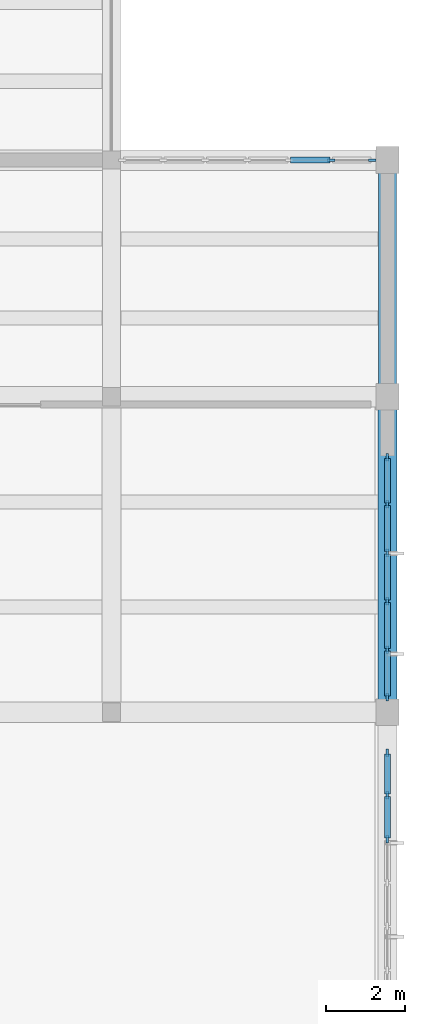
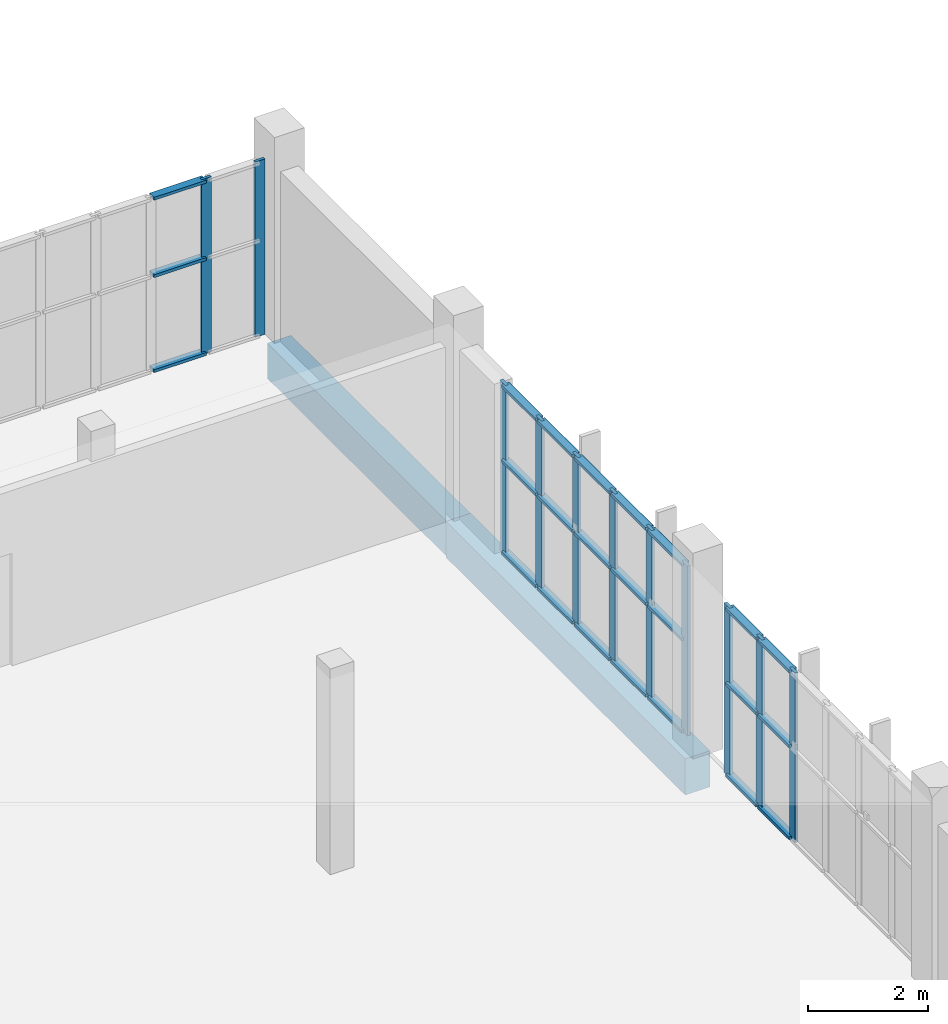
# One storey, part 34 of 70: 35 members, 2 beams, 3 elements without a shape of their own.
"""IFC4 building model written with IfcOpenShell, lengths in metres."""

from ifc_helpers import new_model, si_unit, direction, frame, origin, origin_2d, place, context, subcontext, project, spatial, rectangle, extrude, material, layer, layer_set, material_profile, profile_set, type_object, element, aggregate, save


model = new_model("IFC4")

# Units and contexts
model_context = context("Model", 3, precision=1e-05, world=origin(), true_north=direction((0.0, 1.0)))
body_context = subcontext(model_context, "Body", "Model", "MODEL_VIEW")
ifc_project = project(units=[si_unit("LENGTHUNIT", "METRE"), si_unit("AREAUNIT", "SQUARE_METRE"), si_unit("VOLUMEUNIT", "CUBIC_METRE"), si_unit("PLANEANGLEUNIT", "RADIAN"), si_unit("MASSUNIT", "GRAM", prefix="KILO")], contexts=[model_context])

# Site, building, storey
site_placement = place(None, origin())
site = spatial("IfcSite", under=ifc_project, at=site_placement, CompositionType="ELEMENT")
building_placement = place(site_placement, origin())
building = spatial("IfcBuilding", under=site, at=building_placement, Name="Solvane Community Centre", CompositionType="ELEMENT")
storey_placement = place(building_placement, frame((0.0, 0.0, 9.60009765625)))
storey = spatial("IfcBuildingStorey", under=building, at=storey_placement, Name="L02", CompositionType="ELEMENT", Elevation=9.60009765625)

# Curtain wall, members
ifc_material_1 = material(Name="Anodised bronze aluminium AW-6063 T6", Category="aluminium")
ifc_layer_1 = layer(ifc_material_1, 0.18994140625)
ifc_layer_set_1 = layer_set([ifc_layer_1], Name="Anodised bronze aluminium AW-6063 T6")
curtain_wall_type_1 = type_object("IfcCurtainWallType", Name="Boulevard Bronze Vision Curtain Wall [64x36dm]", PredefinedType="NOTDEFINED", material=ifc_layer_set_1)
curtain_wall_1_placement = place(storey_placement, origin())
curtain_wall_1 = element("IfcCurtainWall", 1, at=curtain_wall_1_placement, inside=storey, type_object=curtain_wall_type_1, Name="Curtain Wall CW-L02-1612_360-203", PredefinedType="NOTDEFINED")
ifc_material_profile_1 = material_profile(ifc_material_1, rectangle(XDim=0.06005859375, YDim=0.18994140625, at=origin_2d()), Name="CW-M 60x190")
ifc_profile_set_1 = profile_set([ifc_material_profile_1], Name="Anodised bronze aluminium AW-6063 T6")
member_type_1 = type_object("IfcMemberType", Name="Boulevard Mullion 60x190", PredefinedType="MULLION", material=ifc_profile_set_1)
member_1_placement = place(storey_placement, frame((166.578369140625, 36.0, 0.0), z_axis=(0.0, 0.0, 1.0), x_axis=(0.0, 1.0, 0.0)))
member_1 = element("IfcMember", 2, at=member_1_placement, type_object=member_type_1, Name="CW02-64x36 mullion 6", PredefinedType="MULLION", context=body_context, shape_type="SweptSolid", body=[
    extrude(rectangle(XDim=0.06005859375, YDim=0.18994140625, at=origin_2d()), origin(), (0.0, 0.0, 1.0), 3.579833984375),
])
member_2_placement = place(storey_placement, frame((167.614990234375, 36.0, 0.0), z_axis=(0.0, 0.0, 1.0), x_axis=(0.0, 1.0, 0.0)))
member_2 = element("IfcMember", 3, at=member_2_placement, type_object=member_type_1, Name="CW02-64x36 mullion 7", PredefinedType="MULLION", context=body_context, shape_type="SweptSolid", body=[
    extrude(rectangle(XDim=0.06005859375, YDim=0.18994140625, at=origin_2d()), origin(), (0.0, 0.0, 1.0), 3.579833984375),
])

ifc_layer_2 = layer(ifc_material_1, 0.18994140625)
ifc_layer_set_2 = layer_set([ifc_layer_2], Name="Anodised bronze aluminium AW-6063 T6")
curtain_wall_type_2 = type_object("IfcCurtainWallType", Name="Boulevard Bronze Vision Curtain Wall [61x35dm]", PredefinedType="NOTDEFINED", material=ifc_layer_set_2)
curtain_wall_2_placement = place(storey_placement, origin())
curtain_wall_2 = element("IfcCurtainWall", 4, at=curtain_wall_2_placement, inside=storey, type_object=curtain_wall_type_2, Name="Curtain Wall CW-L02-1680_285-204", PredefinedType="NOTDEFINED")
member_3_placement = place(storey_placement, frame((168.0, 28.469970703125, 0.0), z_axis=(0.0, 0.0, 1.0), x_axis=(1.0, 0.0, 0.0)))
member_3 = element("IfcMember", 5, at=member_3_placement, type_object=member_type_1, Name="CW02-61x35 mullion 1", PredefinedType="MULLION", context=body_context, shape_type="SweptSolid", body=[
    extrude(rectangle(XDim=0.06005859375, YDim=0.18994140625, at=origin_2d()), origin(), (0.0, 0.0, 1.0), 3.46484375),
])
member_4_placement = place(storey_placement, frame((168.0, 27.27099609375, 0.0), z_axis=(0.0, 0.0, 1.0), x_axis=(1.0, 0.0, 0.0)))
member_4 = element("IfcMember", 6, at=member_4_placement, type_object=member_type_1, Name="CW02-61x35 mullion 2", PredefinedType="MULLION", context=body_context, shape_type="SweptSolid", body=[
    extrude(rectangle(XDim=0.06005859375, YDim=0.18994140625, at=origin_2d()), origin(), (0.0, 0.0, 1.0), 3.46484375),
])
member_5_placement = place(storey_placement, frame((168.0, 26.0419921875, 0.0), z_axis=(0.0, 0.0, 1.0), x_axis=(1.0, 0.0, 0.0)))
member_5 = element("IfcMember", 7, at=member_5_placement, type_object=member_type_1, Name="CW02-61x35 mullion 3", PredefinedType="MULLION", context=body_context, shape_type="SweptSolid", body=[
    extrude(rectangle(XDim=0.06005859375, YDim=0.18994140625, at=origin_2d()), origin(), (0.0, 0.0, 1.0), 3.46484375),
])
member_6_placement = place(storey_placement, frame((168.0, 24.81298828125, 0.0), z_axis=(0.0, 0.0, 1.0), x_axis=(1.0, 0.0, 0.0)))
member_6 = element("IfcMember", 8, at=member_6_placement, type_object=member_type_1, Name="CW02-61x35 mullion 4", PredefinedType="MULLION", context=body_context, shape_type="SweptSolid", body=[
    extrude(rectangle(XDim=0.06005859375, YDim=0.18994140625, at=origin_2d()), origin(), (0.0, 0.0, 1.0), 3.46484375),
])
member_7_placement = place(storey_placement, frame((168.0, 23.583984375, 0.0), z_axis=(0.0, 0.0, 1.0), x_axis=(1.0, 0.0, 0.0)))
member_7 = element("IfcMember", 9, at=member_7_placement, type_object=member_type_1, Name="CW02-61x35 mullion 5", PredefinedType="MULLION", context=body_context, shape_type="SweptSolid", body=[
    extrude(rectangle(XDim=0.06005859375, YDim=0.18994140625, at=origin_2d()), origin(), (0.0, 0.0, 1.0), 3.46484375),
])
member_8_placement = place(storey_placement, frame((168.0, 22.385009765625, 0.0), z_axis=(0.0, 0.0, 1.0), x_axis=(1.0, 0.0, 0.0)))
member_8 = element("IfcMember", 10, at=member_8_placement, type_object=member_type_1, Name="CW02-61x35 mullion 6", PredefinedType="MULLION", context=body_context, shape_type="SweptSolid", body=[
    extrude(rectangle(XDim=0.06005859375, YDim=0.18994140625, at=origin_2d()), origin(), (0.0, 0.0, 1.0), 3.46484375),
])

ifc_layer_3 = layer(ifc_material_1, 0.18994140625)
ifc_layer_set_3 = layer_set([ifc_layer_3], Name="Anodised bronze aluminium AW-6063 T6")
curtain_wall_type_3 = type_object("IfcCurtainWallType", Name="Boulevard Bronze Vision Curtain Wall [66x35dm]", PredefinedType="NOTDEFINED", material=ifc_layer_set_3)
curtain_wall_3_placement = place(storey_placement, origin())
curtain_wall_3 = element("IfcCurtainWall", 11, at=curtain_wall_3_placement, inside=storey, type_object=curtain_wall_type_3, Name="Curtain Wall CW-L02-1680_210-205", PredefinedType="NOTDEFINED")
member_9_placement = place(storey_placement, frame((168.0, 20.969970703125, 0.0), z_axis=(0.0, 0.0, 1.0), x_axis=(1.0, 0.0, 0.0)))
member_9 = element("IfcMember", 12, at=member_9_placement, type_object=member_type_1, Name="CW02-66x35 mullion 1", PredefinedType="MULLION", context=body_context, shape_type="SweptSolid", body=[
    extrude(rectangle(XDim=0.06005859375, YDim=0.18994140625, at=origin_2d()), origin(), (0.0, 0.0, 1.0), 3.46484375),
])
member_10_placement = place(storey_placement, frame((168.0, 19.892578125, 0.0), z_axis=(0.0, 0.0, 1.0), x_axis=(1.0, 0.0, 0.0)))
member_10 = element("IfcMember", 13, at=member_10_placement, type_object=member_type_1, Name="CW02-66x35 mullion 2", PredefinedType="MULLION", context=body_context, shape_type="SweptSolid", body=[
    extrude(rectangle(XDim=0.06005859375, YDim=0.18994140625, at=origin_2d()), origin(), (0.0, 0.0, 1.0), 3.46484375),
])
member_11_placement = place(storey_placement, frame((168.0, 18.784912109375, 0.0), z_axis=(0.0, 0.0, 1.0), x_axis=(1.0, 0.0, 0.0)))
member_11 = element("IfcMember", 14, at=member_11_placement, type_object=member_type_1, Name="CW02-66x35 mullion 3", PredefinedType="MULLION", context=body_context, shape_type="SweptSolid", body=[
    extrude(rectangle(XDim=0.06005859375, YDim=0.18994140625, at=origin_2d()), origin(), (0.0, 0.0, 1.0), 3.46484375),
])

# Member
ifc_material_profile_2 = material_profile(ifc_material_1, rectangle(XDim=0.14990234375, YDim=0.06005859375, at=origin_2d()), Name="CW-T 60x150")
ifc_profile_set_2 = profile_set([ifc_material_profile_2], Name="Anodised bronze aluminium AW-6063 T6")
member_type_2 = type_object("IfcMemberType", Name="Boulevard Transom 60x150", PredefinedType="USERDEFINED", material=ifc_profile_set_2)
member_12_placement = place(storey_placement, frame((165.541748046875, 36.0, 0.02978515625), z_axis=(1.0, 0.0, 0.0), x_axis=(0.0, 1.0, 0.0)))
member_12 = element("IfcMember", 15, at=member_12_placement, type_object=member_type_2, Name="CW02-64x36 transom 5.1", ObjectType="TRANSOM", PredefinedType="USERDEFINED", context=body_context, shape_type="SweptSolid", body=[
    extrude(rectangle(XDim=0.14990234375, YDim=0.06005859375, at=origin_2d()), origin(), (0.0, 0.0, 1.0), 1.006591796875),
])

member_13_placement = place(storey_placement, frame((165.541748046875, 36.0, 1.968994140625), z_axis=(1.0, 0.0, 0.0), x_axis=(0.0, 1.0, 0.0)))
member_13 = element("IfcMember", 16, at=member_13_placement, type_object=member_type_2, Name="CW02-64x36 transom 5.2", ObjectType="TRANSOM", PredefinedType="USERDEFINED", context=body_context, shape_type="SweptSolid", body=[
    extrude(rectangle(XDim=0.14990234375, YDim=0.06005859375, at=origin_2d()), origin(), (0.0, 0.0, 1.0), 1.006591796875),
])

member_14_placement = place(storey_placement, frame((165.541748046875, 36.0, 3.5498046875), z_axis=(1.0, 0.0, 0.0), x_axis=(0.0, 1.0, 0.0)))
member_14 = element("IfcMember", 17, at=member_14_placement, type_object=member_type_2, Name="CW02-64x36 transom 5.3", ObjectType="TRANSOM", PredefinedType="USERDEFINED", context=body_context, shape_type="SweptSolid", body=[
    extrude(rectangle(XDim=0.14990234375, YDim=0.06005859375, at=origin_2d()), origin(), (0.0, 0.0, 1.0), 1.006591796875),
])

aggregate(curtain_wall_1, [member_1, member_2, member_12, member_13, member_14])

member_15_placement = place(storey_placement, frame((168.0, 28.43994140625, 0.02978515625), z_axis=(0.0, -1.0, 0.0), x_axis=(1.0, 0.0, 0.0)))
member_15 = element("IfcMember", 18, at=member_15_placement, type_object=member_type_2, Name="CW02-61x35 transom 1.1", ObjectType="TRANSOM", PredefinedType="USERDEFINED", context=body_context, shape_type="SweptSolid", body=[
    extrude(rectangle(XDim=0.14990234375, YDim=0.06005859375, at=origin_2d()), origin(), (0.0, 0.0, 1.0), 1.138916015625),
])

member_16_placement = place(storey_placement, frame((168.0, 28.43994140625, 1.906005859375), z_axis=(0.0, -1.0, 0.0), x_axis=(1.0, 0.0, 0.0)))
member_16 = element("IfcMember", 19, at=member_16_placement, type_object=member_type_2, Name="CW02-61x35 transom 1.2", ObjectType="TRANSOM", PredefinedType="USERDEFINED", context=body_context, shape_type="SweptSolid", body=[
    extrude(rectangle(XDim=0.14990234375, YDim=0.06005859375, at=origin_2d()), origin(), (0.0, 0.0, 1.0), 1.138916015625),
])

member_17_placement = place(storey_placement, frame((168.0, 28.43994140625, 3.434814453125), z_axis=(0.0, -1.0, 0.0), x_axis=(1.0, 0.0, 0.0)))
member_17 = element("IfcMember", 20, at=member_17_placement, type_object=member_type_2, Name="CW02-61x35 transom 1.3", ObjectType="TRANSOM", PredefinedType="USERDEFINED", context=body_context, shape_type="SweptSolid", body=[
    extrude(rectangle(XDim=0.14990234375, YDim=0.06005859375, at=origin_2d()), origin(), (0.0, 0.0, 1.0), 1.138916015625),
])

member_18_placement = place(storey_placement, frame((168.0, 27.240966796875, 0.02978515625), z_axis=(0.0, -1.0, 0.0), x_axis=(1.0, 0.0, 0.0)))
member_18 = element("IfcMember", 21, at=member_18_placement, type_object=member_type_2, Name="CW02-61x35 transom 2.1", ObjectType="TRANSOM", PredefinedType="USERDEFINED", context=body_context, shape_type="SweptSolid", body=[
    extrude(rectangle(XDim=0.14990234375, YDim=0.06005859375, at=origin_2d()), origin(), (0.0, 0.0, 1.0), 1.1689453125),
])

member_19_placement = place(storey_placement, frame((168.0, 27.240966796875, 1.906005859375), z_axis=(0.0, -1.0, 0.0), x_axis=(1.0, 0.0, 0.0)))
member_19 = element("IfcMember", 22, at=member_19_placement, type_object=member_type_2, Name="CW02-61x35 transom 2.2", ObjectType="TRANSOM", PredefinedType="USERDEFINED", context=body_context, shape_type="SweptSolid", body=[
    extrude(rectangle(XDim=0.14990234375, YDim=0.06005859375, at=origin_2d()), origin(), (0.0, 0.0, 1.0), 1.1689453125),
])

member_20_placement = place(storey_placement, frame((168.0, 27.240966796875, 3.434814453125), z_axis=(0.0, -1.0, 0.0), x_axis=(1.0, 0.0, 0.0)))
member_20 = element("IfcMember", 23, at=member_20_placement, type_object=member_type_2, Name="CW02-61x35 transom 2.3", ObjectType="TRANSOM", PredefinedType="USERDEFINED", context=body_context, shape_type="SweptSolid", body=[
    extrude(rectangle(XDim=0.14990234375, YDim=0.06005859375, at=origin_2d()), origin(), (0.0, 0.0, 1.0), 1.1689453125),
])

member_21_placement = place(storey_placement, frame((168.0, 26.011962890625, 0.02978515625), z_axis=(0.0, -1.0, 0.0), x_axis=(1.0, 0.0, 0.0)))
member_21 = element("IfcMember", 24, at=member_21_placement, type_object=member_type_2, Name="CW02-61x35 transom 3.1", ObjectType="TRANSOM", PredefinedType="USERDEFINED", context=body_context, shape_type="SweptSolid", body=[
    extrude(rectangle(XDim=0.14990234375, YDim=0.06005859375, at=origin_2d()), origin(), (0.0, 0.0, 1.0), 1.1689453125),
])

member_22_placement = place(storey_placement, frame((168.0, 26.011962890625, 1.906005859375), z_axis=(0.0, -1.0, 0.0), x_axis=(1.0, 0.0, 0.0)))
member_22 = element("IfcMember", 25, at=member_22_placement, type_object=member_type_2, Name="CW02-61x35 transom 3.2", ObjectType="TRANSOM", PredefinedType="USERDEFINED", context=body_context, shape_type="SweptSolid", body=[
    extrude(rectangle(XDim=0.14990234375, YDim=0.06005859375, at=origin_2d()), origin(), (0.0, 0.0, 1.0), 1.1689453125),
])

member_23_placement = place(storey_placement, frame((168.0, 26.011962890625, 3.434814453125), z_axis=(0.0, -1.0, 0.0), x_axis=(1.0, 0.0, 0.0)))
member_23 = element("IfcMember", 26, at=member_23_placement, type_object=member_type_2, Name="CW02-61x35 transom 3.3", ObjectType="TRANSOM", PredefinedType="USERDEFINED", context=body_context, shape_type="SweptSolid", body=[
    extrude(rectangle(XDim=0.14990234375, YDim=0.06005859375, at=origin_2d()), origin(), (0.0, 0.0, 1.0), 1.1689453125),
])

member_24_placement = place(storey_placement, frame((168.0, 24.782958984375, 0.02978515625), z_axis=(0.0, -1.0, 0.0), x_axis=(1.0, 0.0, 0.0)))
member_24 = element("IfcMember", 27, at=member_24_placement, type_object=member_type_2, Name="CW02-61x35 transom 4.1", ObjectType="TRANSOM", PredefinedType="USERDEFINED", context=body_context, shape_type="SweptSolid", body=[
    extrude(rectangle(XDim=0.14990234375, YDim=0.06005859375, at=origin_2d()), origin(), (0.0, 0.0, 1.0), 1.1689453125),
])

member_25_placement = place(storey_placement, frame((168.0, 24.782958984375, 1.906005859375), z_axis=(0.0, -1.0, 0.0), x_axis=(1.0, 0.0, 0.0)))
member_25 = element("IfcMember", 28, at=member_25_placement, type_object=member_type_2, Name="CW02-61x35 transom 4.2", ObjectType="TRANSOM", PredefinedType="USERDEFINED", context=body_context, shape_type="SweptSolid", body=[
    extrude(rectangle(XDim=0.14990234375, YDim=0.06005859375, at=origin_2d()), origin(), (0.0, 0.0, 1.0), 1.1689453125),
])

member_26_placement = place(storey_placement, frame((168.0, 24.782958984375, 3.434814453125), z_axis=(0.0, -1.0, 0.0), x_axis=(1.0, 0.0, 0.0)))
member_26 = element("IfcMember", 29, at=member_26_placement, type_object=member_type_2, Name="CW02-61x35 transom 4.3", ObjectType="TRANSOM", PredefinedType="USERDEFINED", context=body_context, shape_type="SweptSolid", body=[
    extrude(rectangle(XDim=0.14990234375, YDim=0.06005859375, at=origin_2d()), origin(), (0.0, 0.0, 1.0), 1.1689453125),
])

member_27_placement = place(storey_placement, frame((168.0, 23.553955078125, 0.02978515625), z_axis=(0.0, -1.0, 0.0), x_axis=(1.0, 0.0, 0.0)))
member_27 = element("IfcMember", 30, at=member_27_placement, type_object=member_type_2, Name="CW02-61x35 transom 5.1", ObjectType="TRANSOM", PredefinedType="USERDEFINED", context=body_context, shape_type="SweptSolid", body=[
    extrude(rectangle(XDim=0.14990234375, YDim=0.06005859375, at=origin_2d()), origin(), (0.0, 0.0, 1.0), 1.138916015625),
])

member_28_placement = place(storey_placement, frame((168.0, 23.553955078125, 1.906005859375), z_axis=(0.0, -1.0, 0.0), x_axis=(1.0, 0.0, 0.0)))
member_28 = element("IfcMember", 31, at=member_28_placement, type_object=member_type_2, Name="CW02-61x35 transom 5.2", ObjectType="TRANSOM", PredefinedType="USERDEFINED", context=body_context, shape_type="SweptSolid", body=[
    extrude(rectangle(XDim=0.14990234375, YDim=0.06005859375, at=origin_2d()), origin(), (0.0, 0.0, 1.0), 1.138916015625),
])

member_29_placement = place(storey_placement, frame((168.0, 23.553955078125, 3.434814453125), z_axis=(0.0, -1.0, 0.0), x_axis=(1.0, 0.0, 0.0)))
member_29 = element("IfcMember", 32, at=member_29_placement, type_object=member_type_2, Name="CW02-61x35 transom 5.3", ObjectType="TRANSOM", PredefinedType="USERDEFINED", context=body_context, shape_type="SweptSolid", body=[
    extrude(rectangle(XDim=0.14990234375, YDim=0.06005859375, at=origin_2d()), origin(), (0.0, 0.0, 1.0), 1.138916015625),
])

aggregate(curtain_wall_2, [member_3, member_4, member_5, member_6, member_7, member_8, member_15, member_16, member_17, member_18, member_19, member_20, member_21, member_22, member_23, member_24, member_25, member_26, member_27, member_28, member_29])

member_30_placement = place(storey_placement, frame((168.0, 20.93994140625, 0.02978515625), z_axis=(0.0, -1.0, 0.0), x_axis=(1.0, 0.0, 0.0)))
member_30 = element("IfcMember", 33, at=member_30_placement, type_object=member_type_2, Name="CW02-66x35 transom 1.1", ObjectType="TRANSOM", PredefinedType="USERDEFINED", context=body_context, shape_type="SweptSolid", body=[
    extrude(rectangle(XDim=0.14990234375, YDim=0.06005859375, at=origin_2d()), origin(), (0.0, 0.0, 1.0), 1.017333984375),
])

member_31_placement = place(storey_placement, frame((168.0, 20.93994140625, 1.906005859375), z_axis=(0.0, -1.0, 0.0), x_axis=(1.0, 0.0, 0.0)))
member_31 = element("IfcMember", 34, at=member_31_placement, type_object=member_type_2, Name="CW02-66x35 transom 1.2", ObjectType="TRANSOM", PredefinedType="USERDEFINED", context=body_context, shape_type="SweptSolid", body=[
    extrude(rectangle(XDim=0.14990234375, YDim=0.06005859375, at=origin_2d()), origin(), (0.0, 0.0, 1.0), 1.017333984375),
])

member_32_placement = place(storey_placement, frame((168.0, 20.93994140625, 3.434814453125), z_axis=(0.0, -1.0, 0.0), x_axis=(1.0, 0.0, 0.0)))
member_32 = element("IfcMember", 35, at=member_32_placement, type_object=member_type_2, Name="CW02-66x35 transom 1.3", ObjectType="TRANSOM", PredefinedType="USERDEFINED", context=body_context, shape_type="SweptSolid", body=[
    extrude(rectangle(XDim=0.14990234375, YDim=0.06005859375, at=origin_2d()), origin(), (0.0, 0.0, 1.0), 1.017333984375),
])

member_33_placement = place(storey_placement, frame((168.0, 19.862548828125, 0.02978515625), z_axis=(0.0, -1.0, 0.0), x_axis=(1.0, 0.0, 0.0)))
member_33 = element("IfcMember", 36, at=member_33_placement, type_object=member_type_2, Name="CW02-66x35 transom 2.1", ObjectType="TRANSOM", PredefinedType="USERDEFINED", context=body_context, shape_type="SweptSolid", body=[
    extrude(rectangle(XDim=0.14990234375, YDim=0.06005859375, at=origin_2d()), origin(), (0.0, 0.0, 1.0), 1.047607421875),
])

member_34_placement = place(storey_placement, frame((168.0, 19.862548828125, 1.906005859375), z_axis=(0.0, -1.0, 0.0), x_axis=(1.0, 0.0, 0.0)))
member_34 = element("IfcMember", 37, at=member_34_placement, type_object=member_type_2, Name="CW02-66x35 transom 2.2", ObjectType="TRANSOM", PredefinedType="USERDEFINED", context=body_context, shape_type="SweptSolid", body=[
    extrude(rectangle(XDim=0.14990234375, YDim=0.06005859375, at=origin_2d()), origin(), (0.0, 0.0, 1.0), 1.047607421875),
])

member_35_placement = place(storey_placement, frame((168.0, 19.862548828125, 3.434814453125), z_axis=(0.0, -1.0, 0.0), x_axis=(1.0, 0.0, 0.0)))
member_35 = element("IfcMember", 38, at=member_35_placement, type_object=member_type_2, Name="CW02-66x35 transom 2.3", ObjectType="TRANSOM", PredefinedType="USERDEFINED", context=body_context, shape_type="SweptSolid", body=[
    extrude(rectangle(XDim=0.14990234375, YDim=0.06005859375, at=origin_2d()), origin(), (0.0, 0.0, 1.0), 1.047607421875),
])

aggregate(curtain_wall_3, [member_9, member_10, member_11, member_30, member_31, member_32, member_33, member_34, member_35])

# Beams
ifc_material_2 = material(Name="Concrete C35/45", Category="concrete")
ifc_material_profile_3 = material_profile(ifc_material_2, rectangle(XDim=0.47998046875, YDim=0.739990234375, at=origin_2d()), Name="RC 480x740")
ifc_profile_set_3 = profile_set([ifc_material_profile_3], Name="Concrete C35/45")
beam_type_1 = type_object("IfcBeamType", Name="RC Bay Beam 480x740", PredefinedType="BEAM", material=ifc_profile_set_3)
beam_1_placement = place(storey_placement, frame((168.0, 22.0, -0.590087890625), z_axis=(0.0, 1.0, 0.0), x_axis=(-1.0, 0.0, 0.0)))
element("IfcBeam", 39, at=beam_1_placement, inside=storey, type_object=beam_type_1, Name="Beam BM-L02-1680_220-1680_300", PredefinedType="BEAM", context=body_context, shape_type="SweptSolid", body=[
    extrude(rectangle(XDim=0.47998046875, YDim=0.739990234375, at=origin_2d()), origin(), (0.0, 0.0, 1.0), 8.0),
])
ifc_material_profile_4 = material_profile(ifc_material_2, rectangle(XDim=0.4599609375, YDim=0.719970703125, at=origin_2d()), Name="RC 460x720")
ifc_profile_set_4 = profile_set([ifc_material_profile_4], Name="Concrete C35/45")
beam_type_2 = type_object("IfcBeamType", Name="RC Cloister Beam 460x720", PredefinedType="BEAM", material=ifc_profile_set_4)
beam_2_placement = place(storey_placement, frame((168.0, 30.0, -0.580078125), z_axis=(0.0, 1.0, 0.0), x_axis=(-1.0, 0.0, 0.0)))
element("IfcBeam", 40, at=beam_2_placement, inside=storey, type_object=beam_type_2, Name="Beam BM-L02-1680_300-1680_360", PredefinedType="BEAM", context=body_context, shape_type="SweptSolid", body=[
    extrude(rectangle(XDim=0.4599609375, YDim=0.719970703125, at=origin_2d()), origin(), (0.0, 0.0, 1.0), 6.0),
])

save(model, "model.ifc")
